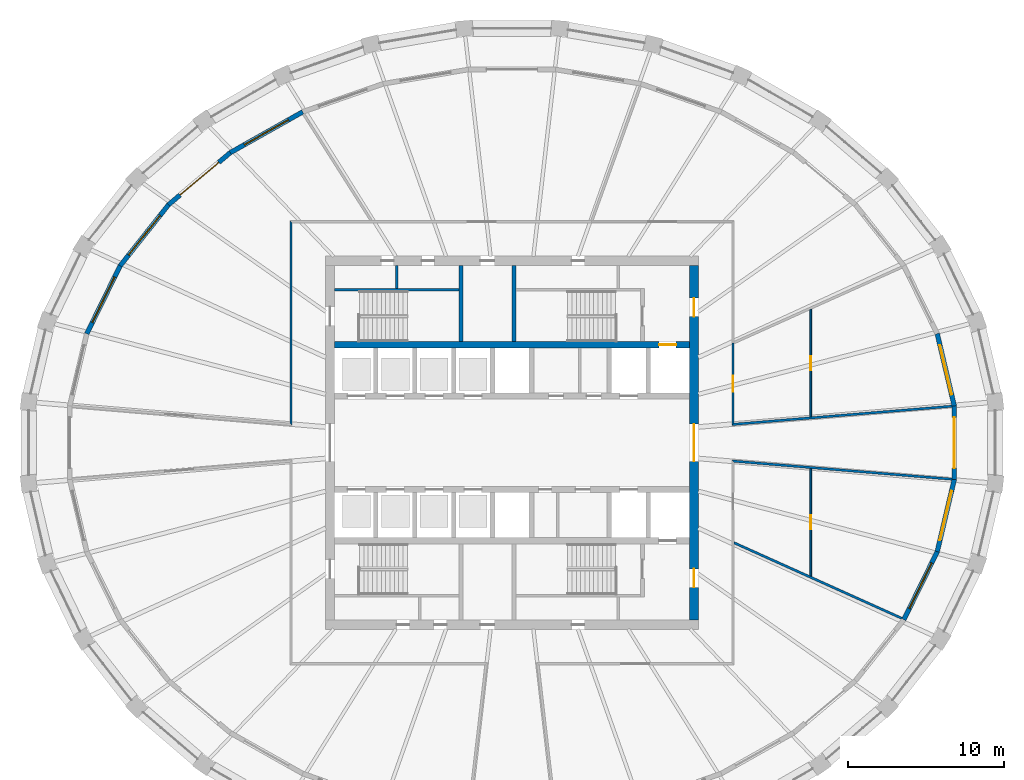
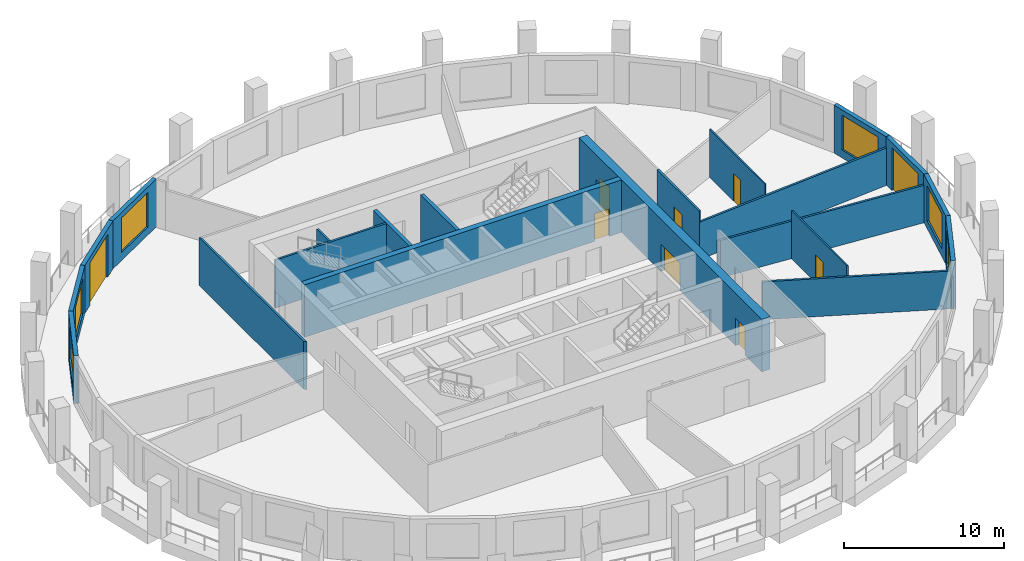
# One storey, part 5 of 10: 21 walls, 9 doors, 6 windows, 15 openings.
"""IFC4 building model written with IfcOpenShell, lengths in metres."""

from ifc_helpers import new_model, si_unit, direction, frame, frame_2d, origin, place, context, subcontext, project, spatial, polyline, rectangle, outline, extrude, material, layer, layer_set, type_object, element, fill, save


model = new_model("IFC4")

# Units and contexts
model_context = context("Model", 3, precision=1e-05, world=origin(), true_north=direction((0.0, 1.0)))
body_context = subcontext(model_context, "Body", "Model", "MODEL_VIEW")
ifc_project = project(units=[si_unit("LENGTHUNIT", "METRE"), si_unit("AREAUNIT", "SQUARE_METRE"), si_unit("VOLUMEUNIT", "CUBIC_METRE"), si_unit("PLANEANGLEUNIT", "RADIAN"), si_unit("MASSUNIT", "GRAM", prefix="KILO")], contexts=[model_context])

# Site, building, storey
site_placement = place(None, origin())
site = spatial("IfcSite", under=ifc_project, at=site_placement, CompositionType="ELEMENT")
building_placement = place(site_placement, origin())
building = spatial("IfcBuilding", under=site, at=building_placement, Name="Halqa Exchange Tower", CompositionType="ELEMENT")
storey_placement = place(building_placement, frame((0.0, 0.0, 246.89990234375)))
storey = spatial("IfcBuildingStorey", under=building, at=storey_placement, Name="L57", CompositionType="ELEMENT", Elevation=246.89990234375)

# Walls
ifc_material_1 = material(Name="Fire-rated gypsum board")
ifc_layer_1 = layer(ifc_material_1, 0.14990234375)
ifc_layer_set_1 = layer_set([ifc_layer_1], Name="Fire-rated gypsum board")
wall_type_1 = type_object("IfcWallType", Name="Fire partition EI 60 150", PredefinedType="PARTITIONING", material=ifc_layer_set_1)
wall_1_placement = place(storey_placement, frame((-14.199951171875, 1.098388671875, 0.0), z_axis=(0.0, 0.0, 1.0), x_axis=(0.0, 1.0, 0.0)))
element("IfcWall", 1, at=wall_1_placement, inside=storey, type_object=wall_type_1, Name="L57-PWL-004", PredefinedType="PARTITIONING", context=body_context, shape_type="SweptSolid", body=[
    extrude(outline(polyline([(0.000244140625, -0.074951171875), (1.861083984375, -0.074951171875), (3.721923828125, -0.074951171875), (5.5830078125, -0.074951171875), (7.44384765625, -0.074951171875), (9.3046875, -0.074951171875), (11.165771484375, -0.074951171875), (13.026611328125, -0.074951171875), (13.176513671875, 0.074951171875), (11.3173828125, 0.074951171875), (9.458251953125, 0.074951171875), (7.599365234375, 0.074951171875), (5.740234375, 0.074951171875), (3.881103515625, 0.074951171875), (2.02197265625, 0.074951171875), (0.1630859375, 0.074951171875), (0.000244140625, -0.074951171875)])), origin(), (0.0, 0.0, 1.0), 3.650146484375),
])
wall_2_placement = place(storey_placement, frame((14.24462890625, -6.420166015625, 0.0), z_axis=(0.0, 0.0, 1.0), x_axis=(0.911879517983, -0.410457969448, 0.0)))
element("IfcWall", 2, at=wall_2_placement, inside=storey, type_object=wall_type_1, Name="L57-PWL-014", PredefinedType="PARTITIONING", context=body_context, shape_type="SweptSolid", body=[
    extrude(outline(polyline([(0.067138671875, -0.074951171875), (2.029052734375, -0.074951171875), (3.9912109375, -0.074951171875), (5.953369140625, -0.074951171875), (7.91552734375, -0.074951171875), (9.877685546875, -0.074951171875), (11.83984375, -0.074951171875), (11.857666015625, -0.00390625), (11.8603515625, 0.074951171875), (10.232666015625, 0.074951171875), (8.604736328125, 0.074951171875), (6.97705078125, 0.074951171875), (5.349365234375, 0.074951171875), (5.34619140625, 0.073486328125), (5.345703125, 0.074951171875), (3.563720703125, 0.074951171875), (1.781982421875, 0.074951171875), (0.0, 0.074951171875), (0.0, 0.073974609375), (0.067138671875, -0.074951171875)])), origin(), (0.0, 0.0, 1.0), 2.880126953125),
])
wall_3_placement = place(storey_placement, frame((14.118896484375, -1.17333984375, 0.0), z_axis=(0.0, 0.0, 1.0), x_axis=(0.996590090632, -0.082511764333, 0.0)))
element("IfcWall", 3, at=wall_3_placement, inside=storey, type_object=wall_type_1, Name="L57-PWL-015", PredefinedType="PARTITIONING", context=body_context, shape_type="SweptSolid", body=[
    extrude(outline(polyline([(0.162841796875, -0.074951171875), (1.8232421875, -0.074951171875), (3.48388671875, -0.074951171875), (5.144287109375, -0.074951171875), (5.15478515625, -0.073974609375), (5.15478515625, -0.074951171875), (6.96240234375, -0.074951171875), (8.77001953125, -0.074951171875), (10.577392578125, -0.074951171875), (12.385009765625, -0.074951171875), (14.192626953125, -0.074951171875), (14.196533203125, -0.04833984375), (14.196533203125, 0.074951171875), (12.421875, 0.074951171875), (10.6474609375, 0.074951171875), (8.872802734375, 0.074951171875), (7.098388671875, 0.074951171875), (5.32373046875, 0.074951171875), (3.549072265625, 0.074951171875), (1.774658203125, 0.074951171875), (0.0, 0.074951171875), (0.081298828125, 0.0), (0.162841796875, -0.074951171875)])), origin(), (0.0, 0.0, 1.0), 2.85009765625),
])
wall_4_placement = place(storey_placement, frame((14.118896484375, 1.17333984375, 0.0), z_axis=(0.0, 0.0, 1.0), x_axis=(0.996590090632, 0.082511764333, 0.0)))
element("IfcWall", 4, at=wall_4_placement, inside=storey, type_object=wall_type_1, Name="L57-PWL-016", PredefinedType="PARTITIONING", context=body_context, shape_type="SweptSolid", body=[
    extrude(outline(polyline([(14.196533203125, -0.074951171875), (14.196533203125, 0.04833984375), (14.192626953125, 0.074951171875), (12.385009765625, 0.074951171875), (10.577392578125, 0.074951171875), (8.77001953125, 0.074951171875), (6.96240234375, 0.074951171875), (5.15478515625, 0.074951171875), (5.15478515625, 0.073974609375), (5.144287109375, 0.074951171875), (3.48388671875, 0.074951171875), (1.8232421875, 0.074951171875), (0.162841796875, 0.074951171875), (0.081298828125, 0.0), (0.0, -0.074951171875), (1.774658203125, -0.074951171875), (3.549072265625, -0.074951171875), (5.32373046875, -0.074951171875), (7.098388671875, -0.074951171875), (8.872802734375, -0.074951171875), (10.6474609375, -0.074951171875), (12.421875, -0.074951171875), (14.196533203125, -0.074951171875)])), origin(), (0.0, 0.0, 1.0), 2.85009765625),
])

# Wall, opening, door
wall_5_placement = place(storey_placement, frame((14.199951171875, 6.39990234375, 0.0), z_axis=(0.0, 0.0, 1.0), x_axis=(0.0, -1.0, 0.0)))
wall_5 = element("IfcWall", 5, at=wall_5_placement, inside=storey, type_object=wall_type_1, Name="L57-PWL-017", PredefinedType="PARTITIONING", context=body_context, shape_type="SweptSolid", body=[
    extrude(outline(polyline([(0.0, -0.074951171875), (1.76708984375, -0.074951171875), (3.5341796875, -0.074951171875), (5.30126953125, -0.074951171875), (5.138427734375, 0.074951171875), (3.42578125, 0.074951171875), (1.712890625, 0.074951171875), (0.0, 0.074951171875), (0.0, -0.074951171875)])), origin(), (0.0, 0.0, 1.0), 3.650146484375),
])
opening_1_placement = place(wall_5_placement, frame((2.110107421875, 0.0, 0.0)))
opening_1 = element("IfcOpeningElement", 6, at=opening_1_placement, cuts=wall_5, Name="Opening 17-04", PredefinedType="OPENING", context=body_context, shape_type="SweptSolid", body=[
    extrude(rectangle(XDim=1.0, YDim=2.10009765625, at=frame_2d((0.5, 1.050048828125))), frame((0.0, 0.0869140625, 0.0), z_axis=(0.0, -1.0, 0.0), x_axis=(1.0, 0.0, 0.0)), (0.0, 0.0, 1.0), 0.173828125),
])
ifc_material_2 = material(Name="Steel fire door leaf", Category="steel")
door_type_1 = type_object("IfcDoorType", Name="Fire door FD30S 1000 x 2100", OperationType="SINGLE_SWING_LEFT", PredefinedType="DOOR", material=ifc_material_2)
door_1_placement = place(opening_1_placement, origin())
door_1 = element("IfcDoor", 7, at=door_1_placement, inside=storey, type_object=door_type_1, Name="L57-IDR-004", OperationType="SINGLE_SWING_RIGHT", OverallHeight=2.10009765625, OverallWidth=1.0, PredefinedType="DOOR", context=body_context, shape_type="SweptSolid", body=[
    extrude(rectangle(XDim=1.0, YDim=2.10009765625, at=frame_2d((0.5, 1.050048828125))), frame((0.0, 0.02490234375, 0.0), z_axis=(0.0, -1.0, 0.0), x_axis=(1.0, 0.0, 0.0)), (0.0, 0.0, 1.0), 0.050048828125),
])
fill(opening_1, door_1)

ifc_material_3 = material(Name="Gypsum board")
ifc_layer_2 = layer(ifc_material_3, 0.10009765625)
ifc_layer_set_2 = layer_set([ifc_layer_2], Name="Gypsum board")
wall_type_2 = type_object("IfcWallType", Name="Partition 100 gypsum", PredefinedType="PARTITIONING", material=ifc_layer_set_2)
wall_6_placement = place(storey_placement, frame((19.199951171875, -1.66552734375, 0.0), z_axis=(0.0, 0.0, 1.0), x_axis=(0.0, -1.0, 0.0)))
wall_6 = element("IfcWall", 8, at=wall_6_placement, inside=storey, type_object=wall_type_2, Name="L57-PWL-020", PredefinedType="PARTITIONING", context=body_context, shape_type="SweptSolid", body=[
    extrude(outline(polyline([(0.0, -0.050048828125), (1.719970703125, -0.050048828125), (3.440185546875, -0.050048828125), (5.16015625, -0.050048828125), (6.88037109375, -0.050048828125), (6.925048828125, 0.04931640625), (6.925048828125, 0.050048828125), (5.19580078125, 0.050048828125), (3.466552734375, 0.050048828125), (1.737060546875, 0.050048828125), (0.0078125, 0.050048828125), (0.0, -0.044921875), (0.0, -0.050048828125)])), origin(), (0.0, 0.0, 1.0), 3.650146484375),
])
opening_2_placement = place(wall_6_placement, frame((3.00439453125, 0.0, 0.0)))
opening_2 = element("IfcOpeningElement", 9, at=opening_2_placement, cuts=wall_6, Name="Opening 17-08", PredefinedType="OPENING", context=body_context, shape_type="SweptSolid", body=[
    extrude(rectangle(XDim=0.89990234375, YDim=2.10009765625, at=frame_2d((0.449951171875, 1.050048828125))), frame((0.0, 0.06201171875, 0.0), z_axis=(0.0, -1.0, 0.0), x_axis=(1.0, 0.0, 0.0)), (0.0, 0.0, 1.0), 0.1240234375),
])
ifc_material_4 = material(Name="Timber door leaf", Category="wood")
door_type_2 = type_object("IfcDoorType", Name="Door 900 x 2100", OperationType="SINGLE_SWING_LEFT", PredefinedType="DOOR", material=ifc_material_4)
door_2_placement = place(opening_2_placement, frame((0.89990234375, 0.0, 0.0), z_axis=(0.0, 0.0, 1.0), x_axis=(-1.0, 0.0, 0.0)))
door_2 = element("IfcDoor", 10, at=door_2_placement, inside=storey, type_object=door_type_2, Name="L57-IDR-008", OperationType="SINGLE_SWING_RIGHT", OverallHeight=2.10009765625, OverallWidth=0.89990234375, PredefinedType="DOOR", context=body_context, shape_type="SweptSolid", body=[
    extrude(rectangle(XDim=0.89990234375, YDim=2.10009765625, at=frame_2d((0.449951171875, 1.050048828125))), frame((0.0, 0.02490234375, 0.0), z_axis=(0.0, -1.0, 0.0), x_axis=(1.0, 0.0, 0.0)), (0.0, 0.0, 1.0), 0.050048828125),
])
fill(opening_2, door_2)

wall_7_placement = place(storey_placement, frame((19.199951171875, 8.590087890625, 0.0), z_axis=(0.0, 0.0, 1.0), x_axis=(0.0, -1.0, 0.0)))
wall_7 = element("IfcWall", 11, at=wall_7_placement, inside=storey, type_object=wall_type_2, Name="L57-PWL-021", PredefinedType="PARTITIONING", context=body_context, shape_type="SweptSolid", body=[
    extrude(outline(polyline([(6.924560546875, -0.050048828125), (6.924560546875, -0.044921875), (6.916748046875, 0.050048828125), (5.1875, 0.050048828125), (3.458251953125, 0.050048828125), (1.729248046875, 0.050048828125), (0.0, 0.050048828125), (0.0, 0.049560546875), (0.044921875, -0.050048828125), (1.7646484375, -0.050048828125), (3.484619140625, -0.050048828125), (5.20458984375, -0.050048828125), (6.924560546875, -0.050048828125)])), origin(), (0.0, 0.0, 1.0), 3.650146484375),
])
opening_3_placement = place(wall_7_placement, frame((3.02001953125, 0.0, 0.0)))
opening_3 = element("IfcOpeningElement", 12, at=opening_3_placement, cuts=wall_7, Name="Opening 17-09", PredefinedType="OPENING", context=body_context, shape_type="SweptSolid", body=[
    extrude(rectangle(XDim=0.89990234375, YDim=2.10009765625, at=frame_2d((0.449951171875, 1.050048828125))), frame((0.0, 0.06201171875, 0.0), z_axis=(0.0, -1.0, 0.0), x_axis=(1.0, 0.0, 0.0)), (0.0, 0.0, 1.0), 0.1240234375),
])
door_3_placement = place(opening_3_placement, frame((0.89990234375, 0.0, 0.0), z_axis=(0.0, 0.0, 1.0), x_axis=(-1.0, 0.0, 0.0)))
door_3 = element("IfcDoor", 13, at=door_3_placement, inside=storey, type_object=door_type_2, Name="L57-IDR-009", OperationType="SINGLE_SWING_RIGHT", OverallHeight=2.10009765625, OverallWidth=0.89990234375, PredefinedType="DOOR", context=body_context, shape_type="SweptSolid", body=[
    extrude(rectangle(XDim=0.89990234375, YDim=2.10009765625, at=frame_2d((0.449951171875, 1.050048828125))), frame((0.0, 0.02490234375, 0.0), z_axis=(0.0, -1.0, 0.0), x_axis=(1.0, 0.0, 0.0)), (0.0, 0.0, 1.0), 0.050048828125),
])
fill(opening_3, door_3)

# Wall
ifc_layer_3 = layer(ifc_material_3, 0.14990234375)
ifc_layer_set_3 = layer_set([ifc_layer_3], Name="Gypsum board")
wall_type_3 = type_object("IfcWallType", Name="Penthouse riser wall 150 gypsum", PredefinedType="PARTITIONING", material=ifc_layer_set_3)
wall_8_placement = place(storey_placement, frame((-7.39990234375, 9.89990234375, 0.0), z_axis=(0.0, 0.0, 1.0), x_axis=(0.0, 1.0, 0.0)))
element("IfcWall", 14, at=wall_8_placement, inside=storey, type_object=wall_type_3, Name="Partition W7.400 N", PredefinedType="PARTITIONING", context=body_context, shape_type="SweptSolid", body=[
    extrude(rectangle(XDim=1.5, YDim=0.14990234375, at=frame_2d((0.75, 0.0))), origin(), (0.0, 0.0, 1.0), 3.650146484375),
])

# Wall, opening, door
ifc_material_5 = material(Name="Concrete C70/85", Category="concrete")
ifc_layer_4 = layer(ifc_material_5, 0.39990234375)
ifc_layer_set_4 = layer_set([ifc_layer_4], Name="Concrete C70/85")
wall_type_4 = type_object("IfcWallType", Name="RC core wall 400 C70/85", PredefinedType="SHEAR", material=ifc_layer_set_4)
wall_9_placement = place(storey_placement, frame((-11.39990234375, 6.300048828125, 0.0), z_axis=(0.0, 0.0, 1.0), x_axis=(1.0, 0.0, 0.0)))
wall_9 = element("IfcWall", 15, at=wall_9_placement, inside=storey, type_object=wall_type_4, Name="Lift row back wall N", PredefinedType="SHEAR", context=body_context, shape_type="SweptSolid", body=[
    extrude(rectangle(XDim=22.7998046875, YDim=0.39990234375, at=frame_2d((11.39990234375, 0.0))), origin(), (0.0, 0.0, 1.0), 4.0),
])
opening_4_placement = place(wall_9_placement, frame((20.85009765625, 0.0, 0.0)))
opening_4 = element("IfcOpeningElement", 16, at=opening_4_placement, cuts=wall_9, Name="Opening LD-FF1-T17", PredefinedType="OPENING", context=body_context, shape_type="SweptSolid", body=[
    extrude(rectangle(XDim=1.10009765625, YDim=2.10009765625, at=frame_2d((0.550048828125, 1.050048828125))), frame((0.0, 0.2119140625, 0.0), z_axis=(0.0, -1.0, 0.0), x_axis=(1.0, 0.0, 0.0)), (0.0, 0.0, 1.0), 0.423828125),
])
ifc_material_6 = material(Name="Stainless steel", Category="steel")
door_type_3 = type_object("IfcDoorType", Name="Lift landing door 1100 x 2100", OperationType="SLIDING_TO_LEFT", PredefinedType="DOOR", material=ifc_material_6)
door_4_placement = place(opening_4_placement, origin())
door_4 = element("IfcDoor", 17, at=door_4_placement, inside=storey, type_object=door_type_3, Name="Lift landing door FF1", OperationType="SLIDING_TO_LEFT", OverallHeight=2.10009765625, OverallWidth=1.10009765625, PredefinedType="DOOR", context=body_context, shape_type="SweptSolid", body=[
    extrude(rectangle(XDim=1.10009765625, YDim=2.10009765625, at=frame_2d((0.550048828125, 1.050048828125))), frame((0.0, 0.02490234375, 0.0), z_axis=(0.0, -1.0, 0.0), x_axis=(1.0, 0.0, 0.0)), (0.0, 0.0, 1.0), 0.050048828125),
])
fill(opening_4, door_4)

# Wall, openings, doors
ifc_layer_5 = layer(ifc_material_5, 0.60009765625)
ifc_layer_set_5 = layer_set([ifc_layer_5], Name="Concrete C70/85")
wall_type_5 = type_object("IfcWallType", Name="RC core wall 600 C70/85", PredefinedType="SHEAR", material=ifc_layer_set_5)
wall_10_placement = place(storey_placement, frame((11.699951171875, -11.39990234375, 0.0), z_axis=(0.0, 0.0, 1.0), x_axis=(0.0, 1.0, 0.0)))
wall_10 = element("IfcWall", 18, at=wall_10_placement, inside=storey, type_object=wall_type_5, Name="Core wall east", PredefinedType="SHEAR", context=body_context, shape_type="SweptSolid", body=[
    extrude(rectangle(XDim=22.7998046875, YDim=0.60009765625, at=frame_2d((11.39990234375, 0.0))), origin(), (0.0, 0.0, 1.0), 4.0),
])
opening_5_placement = place(wall_10_placement, frame((10.199951171875, 0.0, 0.0)))
opening_5 = element("IfcOpeningElement", 19, at=opening_5_placement, cuts=wall_10, Name="Opening T17-C14", PredefinedType="OPENING", context=body_context, shape_type="SweptSolid", body=[
    extrude(rectangle(XDim=2.39990234375, YDim=2.10009765625, at=frame_2d((1.199951171875, 1.050048828125))), frame((0.0, 0.31201171875, 0.0), z_axis=(0.0, -1.0, 0.0), x_axis=(1.0, 0.0, 0.0)), (0.0, 0.0, 1.0), 0.6240234375),
])
opening_6_placement = place(wall_10_placement, frame((19.5, 0.0, 0.0)))
opening_6 = element("IfcOpeningElement", 20, at=opening_6_placement, cuts=wall_10, Name="Opening T17-C19", PredefinedType="OPENING", context=body_context, shape_type="SweptSolid", body=[
    extrude(rectangle(XDim=1.199951171875, YDim=2.10009765625, at=frame_2d((0.60009765625, 1.050048828125))), frame((0.0, 0.31201171875, 0.0), z_axis=(0.0, -1.0, 0.0), x_axis=(1.0, 0.0, 0.0)), (0.0, 0.0, 1.0), 0.6240234375),
])
opening_7_placement = place(wall_10_placement, frame((2.10009765625, 0.0, 0.0)))
opening_7 = element("IfcOpeningElement", 21, at=opening_7_placement, cuts=wall_10, Name="Opening T17-C20", PredefinedType="OPENING", context=body_context, shape_type="SweptSolid", body=[
    extrude(rectangle(XDim=1.199951171875, YDim=2.10009765625, at=frame_2d((0.60009765625, 1.050048828125))), frame((0.0, 0.31201171875, 0.0), z_axis=(0.0, -1.0, 0.0), x_axis=(1.0, 0.0, 0.0)), (0.0, 0.0, 1.0), 0.6240234375),
])
door_type_4 = type_object("IfcDoorType", Name="Firefighting lobby door FD90 1200 x 2100", OperationType="SINGLE_SWING_RIGHT", PredefinedType="DOOR", material=ifc_material_2)
door_5_placement = place(opening_6_placement, origin())
door_5 = element("IfcDoor", 22, at=door_5_placement, inside=storey, type_object=door_type_4, Name="Firefighting lobby door", OperationType="SINGLE_SWING_RIGHT", OverallHeight=2.10009765625, OverallWidth=1.199951171875, PredefinedType="DOOR", context=body_context, shape_type="SweptSolid", body=[
    extrude(rectangle(XDim=1.199951171875, YDim=2.10009765625, at=frame_2d((0.60009765625, 1.050048828125))), frame((0.0, 0.02490234375, 0.0), z_axis=(0.0, -1.0, 0.0), x_axis=(1.0, 0.0, 0.0)), (0.0, 0.0, 1.0), 0.050048828125),
])
fill(opening_6, door_5)
door_6_placement = place(opening_7_placement, origin())
door_6 = element("IfcDoor", 23, at=door_6_placement, inside=storey, type_object=door_type_4, Name="Firefighting lobby door", OperationType="SINGLE_SWING_LEFT", OverallHeight=2.10009765625, OverallWidth=1.199951171875, PredefinedType="DOOR", context=body_context, shape_type="SweptSolid", body=[
    extrude(rectangle(XDim=1.199951171875, YDim=2.10009765625, at=frame_2d((0.60009765625, 1.050048828125))), frame((0.0, 0.02490234375, 0.0), z_axis=(0.0, -1.0, 0.0), x_axis=(1.0, 0.0, 0.0)), (0.0, 0.0, 1.0), 0.050048828125),
])
fill(opening_7, door_6)
door_type_5 = type_object("IfcDoorType", Name="Lobby double door FD60 2400 x 2100", OperationType="DOUBLE_DOOR_SINGLE_SWING", PredefinedType="DOOR", material=ifc_material_2)
door_7_placement = place(opening_5_placement, origin())
door_7 = element("IfcDoor", 24, at=door_7_placement, inside=storey, type_object=door_type_5, Name="Lift lobby double door", OperationType="DOUBLE_DOOR_SINGLE_SWING", OverallHeight=2.10009765625, OverallWidth=2.39990234375, PredefinedType="DOOR", context=body_context, shape_type="SweptSolid", body=[
    extrude(rectangle(XDim=2.39990234375, YDim=2.10009765625, at=frame_2d((1.199951171875, 1.050048828125))), frame((0.0, 0.02490234375, 0.0), z_axis=(0.0, -1.0, 0.0), x_axis=(1.0, 0.0, 0.0)), (0.0, 0.0, 1.0), 0.050048828125),
])
fill(opening_5, door_7)

# Walls
ifc_material_7 = material(Name="Concrete C30/37", Category="concrete")
ifc_layer_6 = layer(ifc_material_7, 0.14990234375)
ifc_layer_set_6 = layer_set([ifc_layer_6], Name="Concrete C30/37")
wall_type_6 = type_object("IfcWallType", Name="RC stair wall 150 C30/37", PredefinedType="SHEAR", material=ifc_layer_set_6)
wall_11_placement = place(storey_placement, frame((-11.39990234375, 9.824951171875, 0.0), z_axis=(0.0, 0.0, 1.0), x_axis=(1.0, 0.0, 0.0)))
element("IfcWall", 25, at=wall_11_placement, inside=storey, type_object=wall_type_6, Name="Stair ST1 north wall N", PredefinedType="SHEAR", context=body_context, shape_type="SweptSolid", body=[
    extrude(rectangle(XDim=8.0, YDim=0.14990234375, at=frame_2d((4.0, 0.0))), origin(), (0.0, 0.0, 1.0), 3.650146484375),
])
ifc_layer_7 = layer(ifc_material_7, 0.25)
ifc_layer_set_7 = layer_set([ifc_layer_7], Name="Concrete C30/37")
wall_type_7 = type_object("IfcWallType", Name="RC stair wall 250 C30/37", PredefinedType="SHEAR", material=ifc_layer_set_7)
for number, where, z_axis, x_axis, name in (
    (26, (-3.27490234375, 6.5, 0.0), (0.0, 0.0, 1.0), (0.0, 1.0, 0.0), "Stair ST1 east wall N"),
    (27, (0.125, 6.5, 0.0), (0.0, 0.0, 1.0), (0.0, 1.0, 0.0), "Stair ST2 west wall N"),
):
    element("IfcWall", number, at=place(storey_placement, frame(where, z_axis=z_axis, x_axis=x_axis)), inside=storey, type_object=wall_type_7, Name=name, PredefinedType="SHEAR", context=body_context, shape_type="SweptSolid", body=[
        extrude(rectangle(XDim=4.89990234375, YDim=0.25, at=frame_2d((2.449951171875, 0.0))), origin(), (0.0, 0.0, 1.0), 3.650146484375),
    ])

# Wall, opening, window
ifc_material_8 = material(Name="Limestone cladding", Category="masonry")
ifc_layer_8 = layer(ifc_material_8, 0.0400390625)
ifc_material_9 = material(Name="Ventilated cavity")
ifc_layer_9 = layer(ifc_material_9, 0.030029296875, ventilated=True)
ifc_material_10 = material(Name="Mineral wool insulation")
ifc_layer_10 = layer(ifc_material_10, 0.10009765625)
ifc_layer_11 = layer(ifc_material_7, 0.10009765625)
ifc_material_11 = material(Name="Internal plaster")
ifc_layer_12 = layer(ifc_material_11, 0.030029296875)
ifc_layer_set_8 = layer_set([ifc_layer_8, ifc_layer_9, ifc_layer_10, ifc_layer_11, ifc_layer_12], Name="Stone-faced insulated wall 300")
wall_type_8 = type_object("IfcWallType", Name="Stone-faced insulated wall 300", PredefinedType="STANDARD", material=ifc_layer_set_8)
wall_12_placement = place(storey_placement, frame((28.423583984375, 2.365234375, 0.0), z_axis=(0.0, 0.0, 1.0), x_axis=(-0.229593205094, 0.973286679337, 0.0)))
wall_12 = element("IfcWall", 28, at=wall_12_placement, inside=storey, type_object=wall_type_8, Name="Glass-line wall 1", PredefinedType="STANDARD", context=body_context, shape_type="SweptSolid", body=[
    extrude(outline(polyline([(-0.017578125, -0.14990234375), (4.78271484375, -0.14990234375), (4.7490234375, 0.14990234375), (0.017578125, 0.14990234375), (-0.017578125, -0.14990234375)])), origin(), (0.0, 0.0, 1.0), 3.650146484375),
])
opening_8_placement = place(wall_12_placement, frame((0.758056640625, 0.0, 0.60009765625)))
opening_8 = element("IfcOpeningElement", 29, at=opening_8_placement, cuts=wall_12, Name="Opening W-F3-01", PredefinedType="OPENING", context=body_context, shape_type="SweptSolid", body=[
    extrude(rectangle(XDim=3.25, YDim=2.64990234375, at=frame_2d((1.625, 1.324951171875))), frame((0.0, 0.162109375, 0.0), z_axis=(0.0, -1.0, 0.0), x_axis=(1.0, 0.0, 0.0)), (0.0, 0.0, 1.0), 0.323974609375),
])
ifc_material_12 = material(Name="Clear low-emissivity glass in aluminium frame", Category="aluminium")
window_type = type_object("IfcWindowType", Name="Fixed clear glazed window 3250 x 2650", PartitioningType="TRIPLE_PANEL_VERTICAL", PredefinedType="WINDOW", material=ifc_material_12)
window_1_placement = place(opening_8_placement, origin())
window_1 = element("IfcWindow", 30, at=window_1_placement, inside=storey, type_object=window_type, Name="Window 3", OverallHeight=2.64990234375, OverallWidth=3.25, PartitioningType="TRIPLE_PANEL_VERTICAL", PredefinedType="WINDOW", context=body_context, shape_type="SweptSolid", body=[
    extrude(rectangle(XDim=3.25, YDim=2.64990234375, at=frame_2d((1.625, 1.324951171875))), frame((0.0, 0.030029296875, 0.0), z_axis=(0.0, -1.0, 0.0), x_axis=(1.0, 0.0, 0.0)), (0.0, 0.0, 1.0), 0.06005859375),
])
fill(opening_8, window_1)

wall_13_placement = place(storey_placement, frame((-13.45458984375, 21.260986328125, 0.0), z_axis=(0.0, 0.0, 1.0), x_axis=(-0.871275151053, -0.490794876865, 0.0)))
wall_13 = element("IfcWall", 31, at=wall_13_placement, inside=storey, type_object=wall_type_8, Name="Glass-line wall 11", PredefinedType="STANDARD", context=body_context, shape_type="SweptSolid", body=[
    extrude(outline(polyline([(-0.013427734375, -0.14990234375), (5.356689453125, -0.14990234375), (5.328369140625, 0.14990234375), (0.013427734375, 0.14990234375), (-0.013427734375, -0.14990234375)])), origin(), (0.0, 0.0, 1.0), 3.650146484375),
])
opening_9_placement = place(wall_13_placement, frame((1.046142578125, 0.0, 0.60009765625)))
opening_9 = element("IfcOpeningElement", 32, at=opening_9_placement, cuts=wall_13, Name="Opening W-F3-11", PredefinedType="OPENING", context=body_context, shape_type="SweptSolid", body=[
    extrude(rectangle(XDim=3.25, YDim=2.64990234375, at=frame_2d((1.625, 1.324951171875))), frame((0.0, 0.162109375, 0.0), z_axis=(0.0, -1.0, 0.0), x_axis=(1.0, 0.0, 0.0)), (0.0, 0.0, 1.0), 0.323974609375),
])
window_2_placement = place(opening_9_placement, origin())
window_2 = element("IfcWindow", 33, at=window_2_placement, inside=storey, type_object=window_type, Name="Window 3", OverallHeight=2.64990234375, OverallWidth=3.25, PartitioningType="TRIPLE_PANEL_VERTICAL", PredefinedType="WINDOW", context=body_context, shape_type="SweptSolid", body=[
    extrude(rectangle(XDim=3.25, YDim=2.64990234375, at=frame_2d((1.625, 1.324951171875))), frame((0.0, 0.030029296875, 0.0), z_axis=(0.0, -1.0, 0.0), x_axis=(1.0, 0.0, 0.0)), (0.0, 0.0, 1.0), 0.06005859375),
])
fill(opening_9, window_2)

# Wall, opening, door
wall_14_placement = place(storey_placement, frame((-18.109375, 18.638916015625, 0.0), z_axis=(0.0, 0.0, 1.0), x_axis=(-0.764530975429, -0.644586989948, 0.0)))
wall_14 = element("IfcWall", 34, at=wall_14_placement, inside=storey, type_object=wall_type_8, Name="Glass-line wall 12", PredefinedType="STANDARD", context=body_context, shape_type="SweptSolid", body=[
    extrude(outline(polyline([(-0.01416015625, -0.14990234375), (5.1953125, -0.14990234375), (5.1650390625, 0.14990234375), (0.01416015625, 0.14990234375), (-0.01416015625, -0.14990234375)])), origin(), (0.0, 0.0, 1.0), 3.650146484375),
])
opening_10_placement = place(wall_14_placement, frame((0.965087890625, 0.0, 0.0)))
opening_10 = element("IfcOpeningElement", 35, at=opening_10_placement, cuts=wall_14, Name="Opening LG-F3-03", PredefinedType="OPENING", context=body_context, shape_type="SweptSolid", body=[
    extrude(rectangle(XDim=3.25, YDim=3.25, at=frame_2d((1.625, 1.625))), frame((0.0, 0.162109375, 0.0), z_axis=(0.0, -1.0, 0.0), x_axis=(1.0, 0.0, 0.0)), (0.0, 0.0, 1.0), 0.323974609375),
])
door_type_6 = type_object("IfcDoorType", Name="Glazed sliding loggia door 3250 x 3250", OperationType="DOUBLE_DOOR_SLIDING", PredefinedType="DOOR", material=ifc_material_12)
door_8_placement = place(opening_10_placement, origin())
door_8 = element("IfcDoor", 36, at=door_8_placement, inside=storey, type_object=door_type_6, Name="Loggia door 3", OperationType="DOUBLE_DOOR_SLIDING", OverallHeight=3.25, OverallWidth=3.25, PredefinedType="DOOR", context=body_context, shape_type="SweptSolid", body=[
    extrude(rectangle(XDim=3.25, YDim=3.25, at=frame_2d((1.625, 1.625))), frame((0.0, 0.02490234375, 0.0), z_axis=(0.0, -1.0, 0.0), x_axis=(1.0, 0.0, 0.0)), (0.0, 0.0, 1.0), 0.050048828125),
])
fill(opening_10, door_8)

# Wall, opening, window
wall_15_placement = place(storey_placement, frame((-22.06982421875, 15.2998046875, 0.0), z_axis=(0.0, 0.0, 1.0), x_axis=(-0.621130746167, -0.783706958094, 0.0)))
wall_15 = element("IfcWall", 37, at=wall_15_placement, inside=storey, type_object=wall_type_8, Name="Glass-line wall 13", PredefinedType="STANDARD", context=body_context, shape_type="SweptSolid", body=[
    extrude(outline(polyline([(-0.01513671875, -0.14990234375), (5.02880859375, -0.14990234375), (4.99658203125, 0.14990234375), (0.01513671875, 0.14990234375), (-0.01513671875, -0.14990234375)])), origin(), (0.0, 0.0, 1.0), 3.650146484375),
])
opening_11_placement = place(wall_15_placement, frame((0.88134765625, 0.0, 0.60009765625)))
opening_11 = element("IfcOpeningElement", 38, at=opening_11_placement, cuts=wall_15, Name="Opening W-F3-13", PredefinedType="OPENING", context=body_context, shape_type="SweptSolid", body=[
    extrude(rectangle(XDim=3.25, YDim=2.64990234375, at=frame_2d((1.625, 1.324951171875))), frame((0.0, 0.162109375, 0.0), z_axis=(0.0, -1.0, 0.0), x_axis=(1.0, 0.0, 0.0)), (0.0, 0.0, 1.0), 0.323974609375),
])
window_3_placement = place(opening_11_placement, origin())
window_3 = element("IfcWindow", 39, at=window_3_placement, inside=storey, type_object=window_type, Name="Window 3", OverallHeight=2.64990234375, OverallWidth=3.25, PartitioningType="TRIPLE_PANEL_VERTICAL", PredefinedType="WINDOW", context=body_context, shape_type="SweptSolid", body=[
    extrude(rectangle(XDim=3.25, YDim=2.64990234375, at=frame_2d((1.625, 1.324951171875))), frame((0.0, 0.030029296875, 0.0), z_axis=(0.0, -1.0, 0.0), x_axis=(1.0, 0.0, 0.0)), (0.0, 0.0, 1.0), 0.06005859375),
])
fill(opening_11, window_3)

wall_16_placement = place(storey_placement, frame((-25.183349609375, 11.371337890625, 0.0), z_axis=(0.0, 0.0, 1.0), x_axis=(-0.441001730708, -0.897506252632, 0.0)))
wall_16 = element("IfcWall", 40, at=wall_16_placement, inside=storey, type_object=wall_type_8, Name="Glass-line wall 14", PredefinedType="STANDARD", context=body_context, shape_type="SweptSolid", body=[
    extrude(outline(polyline([(-0.01611328125, -0.14990234375), (4.883056640625, -0.14990234375), (4.849365234375, 0.14990234375), (0.01611328125, 0.14990234375), (-0.01611328125, -0.14990234375)])), origin(), (0.0, 0.0, 1.0), 3.650146484375),
])
opening_12_placement = place(wall_16_placement, frame((0.80810546875, 0.0, 0.60009765625)))
opening_12 = element("IfcOpeningElement", 41, at=opening_12_placement, cuts=wall_16, Name="Opening W-F3-14", PredefinedType="OPENING", context=body_context, shape_type="SweptSolid", body=[
    extrude(rectangle(XDim=3.25, YDim=2.64990234375, at=frame_2d((1.625, 1.324951171875))), frame((0.0, 0.162109375, 0.0), z_axis=(0.0, -1.0, 0.0), x_axis=(1.0, 0.0, 0.0)), (0.0, 0.0, 1.0), 0.323974609375),
])
window_4_placement = place(opening_12_placement, origin())
window_4 = element("IfcWindow", 42, at=window_4_placement, inside=storey, type_object=window_type, Name="Window 3", OverallHeight=2.64990234375, OverallWidth=3.25, PartitioningType="TRIPLE_PANEL_VERTICAL", PredefinedType="WINDOW", context=body_context, shape_type="SweptSolid", body=[
    extrude(rectangle(XDim=3.25, YDim=2.64990234375, at=frame_2d((1.625, 1.324951171875))), frame((0.0, 0.030029296875, 0.0), z_axis=(0.0, -1.0, 0.0), x_axis=(1.0, 0.0, 0.0)), (0.0, 0.0, 1.0), 0.06005859375),
])
fill(opening_12, window_4)

wall_17_placement = place(storey_placement, frame((25.183349609375, -11.371337890625, 0.0), z_axis=(0.0, 0.0, 1.0), x_axis=(0.441001730708, 0.897506252632, 0.0)))
wall_17 = element("IfcWall", 43, at=wall_17_placement, inside=storey, type_object=wall_type_8, Name="Glass-line wall 30", PredefinedType="STANDARD", context=body_context, shape_type="SweptSolid", body=[
    extrude(outline(polyline([(-0.01611328125, -0.14990234375), (4.883056640625, -0.14990234375), (4.849365234375, 0.14990234375), (0.01611328125, 0.14990234375), (-0.01611328125, -0.14990234375)])), origin(), (0.0, 0.0, 1.0), 3.650146484375),
])
opening_13_placement = place(wall_17_placement, frame((0.80810546875, 0.0, 0.60009765625)))
opening_13 = element("IfcOpeningElement", 44, at=opening_13_placement, cuts=wall_17, Name="Opening W-F3-30", PredefinedType="OPENING", context=body_context, shape_type="SweptSolid", body=[
    extrude(rectangle(XDim=3.25, YDim=2.64990234375, at=frame_2d((1.625, 1.324951171875))), frame((0.0, 0.162109375, 0.0), z_axis=(0.0, -1.0, 0.0), x_axis=(1.0, 0.0, 0.0)), (0.0, 0.0, 1.0), 0.323974609375),
])
window_5_placement = place(opening_13_placement, origin())
window_5 = element("IfcWindow", 45, at=window_5_placement, inside=storey, type_object=window_type, Name="Window 3", OverallHeight=2.64990234375, OverallWidth=3.25, PartitioningType="TRIPLE_PANEL_VERTICAL", PredefinedType="WINDOW", context=body_context, shape_type="SweptSolid", body=[
    extrude(rectangle(XDim=3.25, YDim=2.64990234375, at=frame_2d((1.625, 1.324951171875))), frame((0.0, 0.030029296875, 0.0), z_axis=(0.0, -1.0, 0.0), x_axis=(1.0, 0.0, 0.0)), (0.0, 0.0, 1.0), 0.06005859375),
])
fill(opening_13, window_5)

wall_18_placement = place(storey_placement, frame((27.329345703125, -7.00390625, 0.0), z_axis=(0.0, 0.0, 1.0), x_axis=(0.229593205094, 0.973286679337, 0.0)))
wall_18 = element("IfcWall", 46, at=wall_18_placement, inside=storey, type_object=wall_type_8, Name="Glass-line wall 31", PredefinedType="STANDARD", context=body_context, shape_type="SweptSolid", body=[
    extrude(outline(polyline([(-0.016845703125, -0.14990234375), (4.783447265625, -0.14990234375), (4.748291015625, 0.14990234375), (0.016845703125, 0.14990234375), (-0.016845703125, -0.14990234375)])), origin(), (0.0, 0.0, 1.0), 3.650146484375),
])
opening_14_placement = place(wall_18_placement, frame((0.758056640625, 0.0, 0.60009765625)))
opening_14 = element("IfcOpeningElement", 47, at=opening_14_placement, cuts=wall_18, Name="Opening W-F3-31", PredefinedType="OPENING", context=body_context, shape_type="SweptSolid", body=[
    extrude(rectangle(XDim=3.25, YDim=2.64990234375, at=frame_2d((1.625, 1.324951171875))), frame((0.0, 0.162109375, 0.0), z_axis=(0.0, -1.0, 0.0), x_axis=(1.0, 0.0, 0.0)), (0.0, 0.0, 1.0), 0.323974609375),
])
window_6_placement = place(opening_14_placement, origin())
window_6 = element("IfcWindow", 48, at=window_6_placement, inside=storey, type_object=window_type, Name="Window 3", OverallHeight=2.64990234375, OverallWidth=3.25, PartitioningType="TRIPLE_PANEL_VERTICAL", PredefinedType="WINDOW", context=body_context, shape_type="SweptSolid", body=[
    extrude(rectangle(XDim=3.25, YDim=2.64990234375, at=frame_2d((1.625, 1.324951171875))), frame((0.0, 0.030029296875, 0.0), z_axis=(0.0, -1.0, 0.0), x_axis=(1.0, 0.0, 0.0)), (0.0, 0.0, 1.0), 0.06005859375),
])
fill(opening_14, window_6)

# Wall, opening, door
wall_19_placement = place(storey_placement, frame((28.423583984375, -2.365234375, 0.0), z_axis=(0.0, 0.0, 1.0), x_axis=(0.0, 1.0, 0.0)))
wall_19 = element("IfcWall", 49, at=wall_19_placement, inside=storey, type_object=wall_type_8, Name="Glass-line wall 32", PredefinedType="STANDARD", context=body_context, shape_type="SweptSolid", body=[
    extrude(outline(polyline([(-0.017578125, -0.14990234375), (4.748046875, -0.14990234375), (4.712890625, 0.14990234375), (0.017578125, 0.14990234375), (-0.017578125, -0.14990234375)])), origin(), (0.0, 0.0, 1.0), 3.650146484375),
])
opening_15_placement = place(wall_19_placement, frame((0.740234375, 0.0, 0.0)))
opening_15 = element("IfcOpeningElement", 50, at=opening_15_placement, cuts=wall_19, Name="Opening LG-F3-08", PredefinedType="OPENING", context=body_context, shape_type="SweptSolid", body=[
    extrude(rectangle(XDim=3.25, YDim=3.25, at=frame_2d((1.625, 1.625))), frame((0.0, 0.162109375, 0.0), z_axis=(0.0, -1.0, 0.0), x_axis=(1.0, 0.0, 0.0)), (0.0, 0.0, 1.0), 0.323974609375),
])
door_9_placement = place(opening_15_placement, origin())
door_9 = element("IfcDoor", 51, at=door_9_placement, inside=storey, type_object=door_type_6, Name="Loggia door 8", OperationType="DOUBLE_DOOR_SLIDING", OverallHeight=3.25, OverallWidth=3.25, PredefinedType="DOOR", context=body_context, shape_type="SweptSolid", body=[
    extrude(rectangle(XDim=3.25, YDim=3.25, at=frame_2d((1.625, 1.625))), frame((0.0, 0.02490234375, 0.0), z_axis=(0.0, -1.0, 0.0), x_axis=(1.0, 0.0, 0.0)), (0.0, 0.0, 1.0), 0.050048828125),
])
fill(opening_15, door_9)

save(model, "model.ifc")
